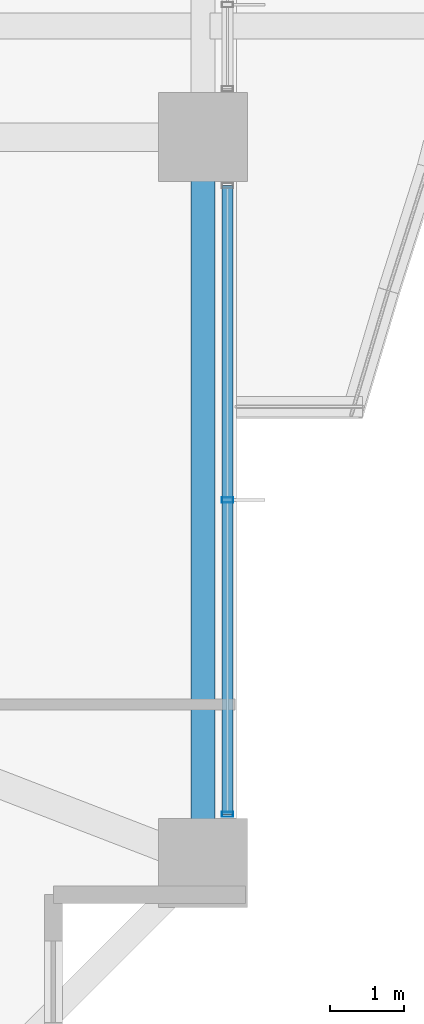
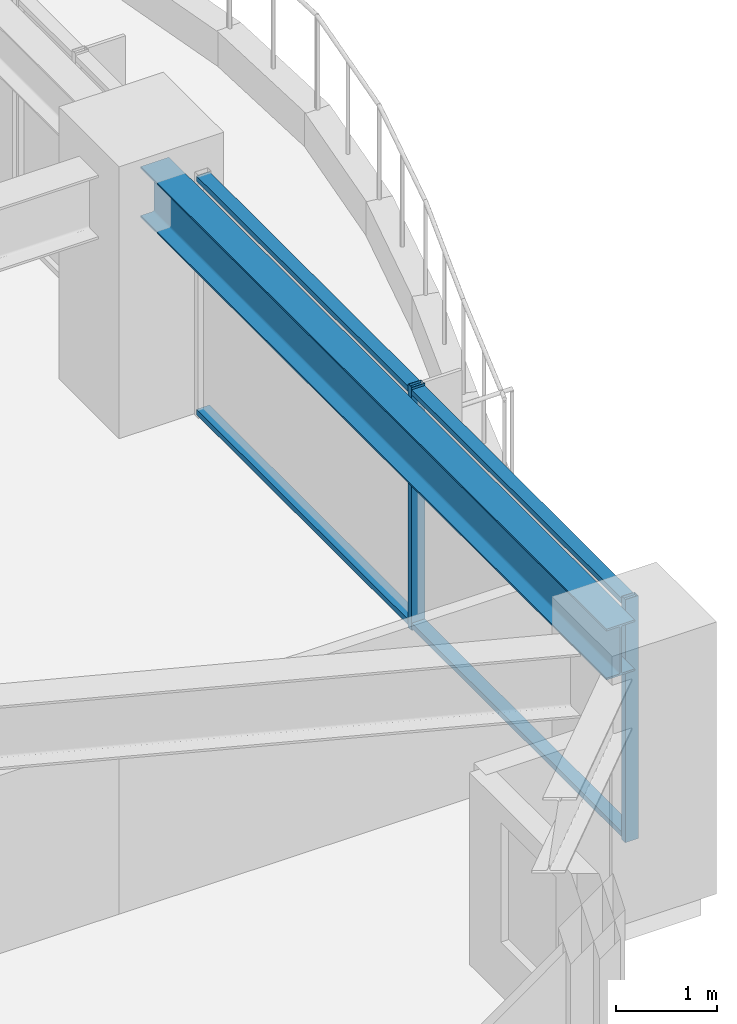
# One storey, part 13 of 38: 4 members, 1 beam, 1 element without a shape of its own.
"""IFC4 building model written with IfcOpenShell, lengths in metres."""

from ifc_helpers import new_model, si_unit, direction, frame, origin, origin_2d, place, context, subcontext, project, spatial, hollow_rectangle, i_section, extrude, material, material_profile, profile_set, type_object, element, aggregate, save


model = new_model("IFC4")

# Units and contexts
model_context = context("Model", 3, precision=1e-05, world=origin(), true_north=direction((0.0, 1.0)))
body_context = subcontext(model_context, "Body", "Model", "MODEL_VIEW")
ifc_project = project(units=[si_unit("LENGTHUNIT", "METRE"), si_unit("AREAUNIT", "SQUARE_METRE"), si_unit("VOLUMEUNIT", "CUBIC_METRE"), si_unit("PLANEANGLEUNIT", "RADIAN"), si_unit("MASSUNIT", "GRAM", prefix="KILO")], contexts=[model_context])

# Site, building, storey
site_placement = place(None, origin())
site = spatial("IfcSite", under=ifc_project, at=site_placement, CompositionType="ELEMENT")
building_placement = place(site_placement, origin())
building = spatial("IfcBuilding", under=site, at=building_placement, Name="Kolvaren Belvedere", CompositionType="ELEMENT")
storey_placement = place(building_placement, frame((0.0, 0.0, 60.10009765625)))
storey = spatial("IfcBuildingStorey", under=building, at=storey_placement, Name="L17", CompositionType="ELEMENT", Elevation=60.10009765625)

# Beam
ifc_material_1 = material(Name="Structural steel ASTM A992 Grade 50", Category="steel")
ifc_material_profile_1 = material_profile(ifc_material_1, i_section(OverallWidth=0.324951171875, OverallDepth=0.615966796875, WebThickness=0.013916015625, FlangeThickness=0.021484375, FilletRadius=0.02001953125, at=origin_2d()), Name="W24X117")
ifc_profile_set_1 = profile_set([ifc_material_profile_1], Name="Structural steel ASTM A992 Grade 50")
beam_type = type_object("IfcBeamType", Name="BM-SPAN-W24X117", PredefinedType="SPANDREL", material=ifc_profile_set_1)
beam_placement = place(storey_placement, frame((21.550048828125, -14.1298828125, 2.641845703125), z_axis=(0.0, 1.0, 0.0), x_axis=(-1.0, 0.0, 0.0)))
element("IfcBeam", 1, at=beam_placement, inside=storey, type_object=beam_type, Name="L17 Perimeter Spandrel E1-E2", PredefinedType="SPANDREL", context=body_context, shape_type="SweptSolid", body=[
    extrude(i_section(OverallWidth=0.324951171875, OverallDepth=0.615966796875, WebThickness=0.013916015625, FlangeThickness=0.021484375, FilletRadius=0.02001953125, at=origin_2d()), origin(), (0.0, 0.0, 1.0), 9.259765625),
])

# Curtain wall, members
ifc_material_2 = material(Name="Anodised pale-metal aluminium AA 6063-T6", Category="aluminium")
curtain_wall_type = type_object("IfcCurtainWallType", Name="CW-Z1-LOW", PredefinedType="NOTDEFINED", material=ifc_material_2)
curtain_wall_placement = place(storey_placement, origin())
curtain_wall = element("IfcCurtainWall", 2, at=curtain_wall_placement, inside=storey, type_object=curtain_wall_type, Name="L17 Unitised Curtain Wall FCW-L17-E2-B2", PredefinedType="NOTDEFINED")
ifc_material_3 = material(Name="Anodised pale-metal aluminium AA 6063-T6", Category="aluminium")
ifc_material_profile_2 = material_profile(ifc_material_3, hollow_rectangle(XDim=0.070068359375, YDim=0.14990234375, WallThickness=0.004150390625, at=origin_2d()), Name="ALU-MUL-150X70")
ifc_profile_set_2 = profile_set([ifc_material_profile_2], Name="Anodised pale-metal aluminium AA 6063-T6")
member_type_1 = type_object("IfcMemberType", Name="CW-MUL-150", PredefinedType="MULLION", material=ifc_profile_set_2)
member_1_placement = place(storey_placement, frame((21.8798828125, -9.5, 0.0), z_axis=(0.0, 0.0, 1.0), x_axis=(0.0, 1.0, 0.0)))
member_1 = element("IfcMember", 3, at=member_1_placement, type_object=member_type_1, Name="FCW-L17-E2-B2 Unitised Mullion 2", PredefinedType="MULLION", context=body_context, shape_type="SweptSolid", body=[
    extrude(hollow_rectangle(XDim=0.070068359375, YDim=0.14990234375, WallThickness=0.004150390625, at=origin_2d()), origin(), (0.0, 0.0, 1.0), 2.949951171875),
])
member_2_placement = place(storey_placement, frame((21.8798828125, -13.7451171875, 0.0), z_axis=(0.0, 0.0, 1.0), x_axis=(0.0, 1.0, 0.0)))
member_2 = element("IfcMember", 4, at=member_2_placement, type_object=member_type_1, Name="FCW-L17-E2-B2 Unitised Mullion 3", PredefinedType="MULLION", context=body_context, shape_type="SweptSolid", body=[
    extrude(hollow_rectangle(XDim=0.070068359375, YDim=0.14990234375, WallThickness=0.004150390625, at=origin_2d()), origin(), (0.0, 0.0, 1.0), 2.949951171875),
])
ifc_material_4 = material(Name="Anodised pale-metal aluminium AA 6063-T6", Category="aluminium")
ifc_material_profile_3 = material_profile(ifc_material_4, hollow_rectangle(XDim=0.06494140625, YDim=0.14990234375, WallThickness=0.00390625, at=origin_2d()), Name="ALU-TRN-150X65")
ifc_profile_set_3 = profile_set([ifc_material_profile_3], Name="Anodised pale-metal aluminium AA 6063-T6")
member_type_2 = type_object("IfcMemberType", Name="CW-TRN-150", PredefinedType="USERDEFINED", material=ifc_profile_set_3)
member_3_placement = place(storey_placement, frame((21.8798828125, -5.2548828125, 0.059814453125), z_axis=(0.0, -1.0, 0.0), x_axis=(0.0, 0.0, 1.0)))
member_3 = element("IfcMember", 5, at=member_3_placement, type_object=member_type_2, Name="FCW-L17-E2-B2 Sill Transom", ObjectType="TRANSOM", PredefinedType="USERDEFINED", context=body_context, shape_type="SweptSolid", body=[
    extrude(hollow_rectangle(XDim=0.06494140625, YDim=0.14990234375, WallThickness=0.00390625, at=origin_2d()), origin(), (0.0, 0.0, 1.0), 8.490234375),
])
member_4_placement = place(storey_placement, frame((21.8798828125, -5.2548828125, 2.889892578125), z_axis=(0.0, -1.0, 0.0), x_axis=(0.0, 0.0, 1.0)))
member_4 = element("IfcMember", 6, at=member_4_placement, type_object=member_type_2, Name="FCW-L17-E2-B2 Head Transom", ObjectType="TRANSOM", PredefinedType="USERDEFINED", context=body_context, shape_type="SweptSolid", body=[
    extrude(hollow_rectangle(XDim=0.06494140625, YDim=0.14990234375, WallThickness=0.00390625, at=origin_2d()), origin(), (0.0, 0.0, 1.0), 8.490234375),
])
aggregate(curtain_wall, [member_1, member_2, member_3, member_4])

save(model, "model.ifc")
